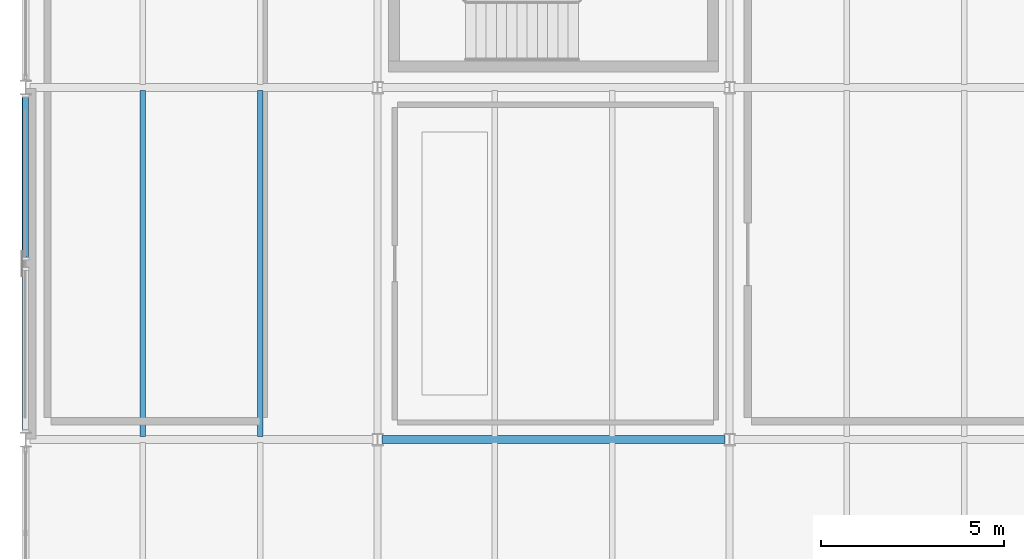
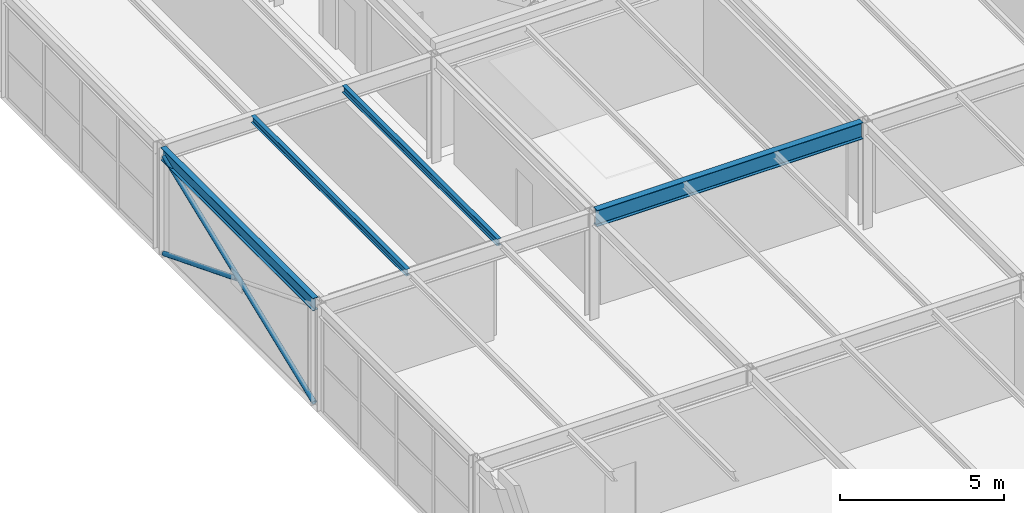
# One storey, part 17 of 126: 4 beams, 2 members.
"""IFC4 building model written with IfcOpenShell, lengths in metres."""

from ifc_helpers import new_model, si_unit, direction, frame, origin, origin_2d, place, context, subcontext, project, spatial, hollow_circle, i_section, extrude, material, material_profile, profile_set, type_object, element, save


model = new_model("IFC4")

# Units and contexts
model_context = context("Model", 3, precision=1e-05, world=origin(), true_north=direction((0.0, 1.0)))
body_context = subcontext(model_context, "Body", "Model", "MODEL_VIEW")
ifc_project = project(units=[si_unit("LENGTHUNIT", "METRE"), si_unit("AREAUNIT", "SQUARE_METRE"), si_unit("VOLUMEUNIT", "CUBIC_METRE"), si_unit("PLANEANGLEUNIT", "RADIAN"), si_unit("MASSUNIT", "GRAM", prefix="KILO")], contexts=[model_context])

# Site, building, storey
site_placement = place(None, origin())
site = spatial("IfcSite", under=ifc_project, at=site_placement, CompositionType="ELEMENT")
building_placement = place(site_placement, origin())
building = spatial("IfcBuilding", under=site, at=building_placement, Name="Coralgate Yard Interchange", CompositionType="ELEMENT")
storey_placement = place(building_placement, frame((0.0, 0.0, 10.5)))
storey = spatial("IfcBuildingStorey", under=building, at=storey_placement, Name="L02", CompositionType="ELEMENT", Elevation=10.5)

# Beams
ifc_material = material(Name="Structural steel S355J2", Category="steel")
ifc_material_profile_1 = material_profile(ifc_material, i_section(OverallWidth=0.1904296875, OverallDepth=0.45703125, WebThickness=0.009033203125, FlangeThickness=0.014404296875, FilletRadius=0.01025390625, at=origin_2d()), Name="UB 457x191x74")
ifc_profile_set_1 = profile_set([ifc_material_profile_1], Name="Structural steel S355J2")
beam_type_1 = type_object("IfcBeamType", Name="BM-SB-2", PredefinedType="BEAM", material=ifc_profile_set_1)
beam_1_placement = place(storey_placement, frame((0.0, 19.3701171875, 3.721435546875), z_axis=(0.0, 1.0, 0.0), x_axis=(-1.0, 0.0, 0.0)))
element("IfcBeam", 1, at=beam_1_placement, inside=storey, type_object=beam_type_1, Name="L02 primary grid girder X0 Y2-3", PredefinedType="BEAM", context=body_context, shape_type="SweptSolid", body=[
    extrude(i_section(OverallWidth=0.1904296875, OverallDepth=0.45703125, WebThickness=0.009033203125, FlangeThickness=0.014404296875, FilletRadius=0.01025390625, at=origin_2d()), origin(), (0.0, 0.0, 1.0), 9.259765625),
])
ifc_material_profile_2 = material_profile(ifc_material, i_section(OverallWidth=0.228271484375, OverallDepth=0.607666015625, WebThickness=0.010986328125, FlangeThickness=0.017333984375, FilletRadius=0.0126953125, at=origin_2d()), Name="UB 610x229x113")
ifc_profile_set_2 = profile_set([ifc_material_profile_2], Name="Structural steel S355J2")
beam_type_2 = type_object("IfcBeamType", Name="BM-SG-5", PredefinedType="BEAM", material=ifc_profile_set_2)
beam_2_placement = place(storey_placement, frame((9.727294921875, 19.199951171875, 3.646240234375), z_axis=(1.0, 0.0, 0.0), x_axis=(0.0, 1.0, 0.0)))
element("IfcBeam", 2, at=beam_2_placement, inside=storey, type_object=beam_type_2, Name="L02 primary grid beam Y2 X1-2", PredefinedType="BEAM", context=body_context, shape_type="SweptSolid", body=[
    extrude(i_section(OverallWidth=0.228271484375, OverallDepth=0.607666015625, WebThickness=0.010986328125, FlangeThickness=0.017333984375, FilletRadius=0.0126953125, at=origin_2d()), origin(), (0.0, 0.0, 1.0), 9.345458984375),
])
ifc_material_profile_3 = material_profile(ifc_material, i_section(OverallWidth=0.14599609375, OverallDepth=0.25146484375, WebThickness=0.006103515625, FlangeThickness=0.008544921875, FilletRadius=0.007568359375, at=origin_2d()), Name="UB 254x146x31")
ifc_profile_set_3 = profile_set([ifc_material_profile_3], Name="Structural steel S355J2")
beam_type_3 = type_object("IfcBeamType", Name="BM-SJ-2", PredefinedType="JOIST", material=ifc_profile_set_3)
for number, where, z_axis, x_axis, name in (
    (3, (3.199951171875, 19.2841796875, 3.82421875), (0.0, 1.0, 0.0), (-1.0, 0.0, 0.0), "L02 composite floor joist 0-2-1"),
    (4, (6.39990234375, 19.2841796875, 3.82421875), (0.0, 1.0, 0.0), (-1.0, 0.0, 0.0), "L02 composite floor joist 0-2-2"),
):
    element("IfcBeam", number, at=place(storey_placement, frame(where, z_axis=z_axis, x_axis=x_axis)), inside=storey, type_object=beam_type_3, Name=name, PredefinedType="JOIST", context=body_context, shape_type="SweptSolid", body=[
        extrude(i_section(OverallWidth=0.14599609375, OverallDepth=0.25146484375, WebThickness=0.006103515625, FlangeThickness=0.008544921875, FilletRadius=0.007568359375, at=origin_2d()), origin(), (0.0, 0.0, 1.0), 9.431640625),
    ])

# Members
ifc_material_profile_4 = material_profile(ifc_material, hollow_circle(Radius=0.084228515625, WallThickness=0.008056640625, at=origin_2d()), Name="CHS 168.3x8")
ifc_profile_set_4 = profile_set([ifc_material_profile_4], Name="Structural steel S355J2")
member_type = type_object("IfcMemberType", Name="MB-BR-2", PredefinedType="BRACE", material=ifc_profile_set_4)
member_1_placement = place(storey_placement, frame((0.0, 19.43994140625, 0.02001953125), z_axis=(0.0, 0.929813001361, 0.368032311761), x_axis=(-1.0, 0.0, 0.0)))
element("IfcMember", 5, at=member_1_placement, inside=storey, type_object=member_type, Name="L02 continuous concentric X-brace W-A", PredefinedType="BRACE", context=body_context, shape_type="SweptSolid", body=[
    extrude(hollow_circle(Radius=0.084228515625, WallThickness=0.008056640625, at=origin_2d()), origin(), (0.0, 0.0, 1.0), 9.80859375),
])
member_2_placement = place(storey_placement, frame((0.0, 28.56005859375, 0.02001953125), z_axis=(0.0, -0.929804046938, 0.368054933804), x_axis=(1.0, 0.0, 0.0)))
element("IfcMember", 6, at=member_2_placement, inside=storey, type_object=member_type, Name="L02 split concentric X-brace W-B1", PredefinedType="BRACE", context=body_context, shape_type="SweptSolid", body=[
    extrude(hollow_circle(Radius=0.084228515625, WallThickness=0.008056640625, at=origin_2d()), origin(), (0.0, 0.0, 1.0), 4.748046875),
])

save(model, "model.ifc")
